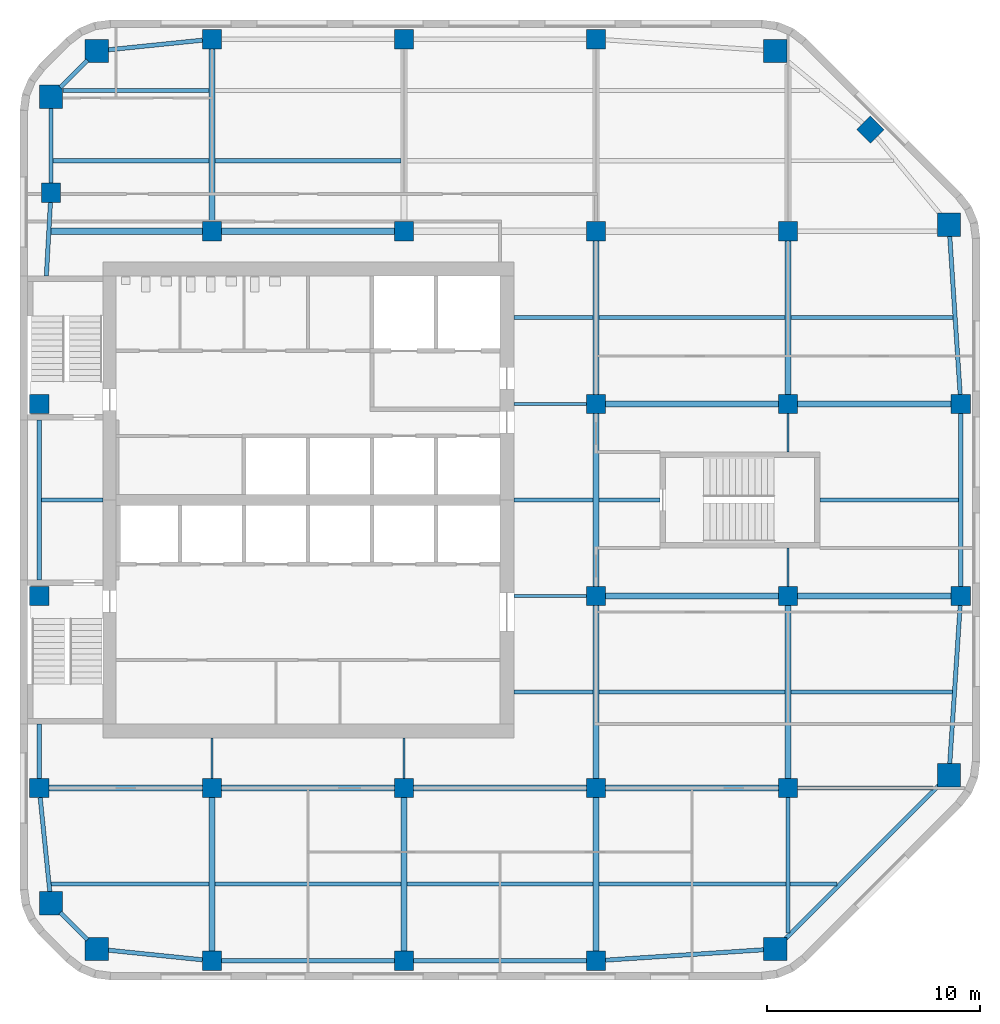
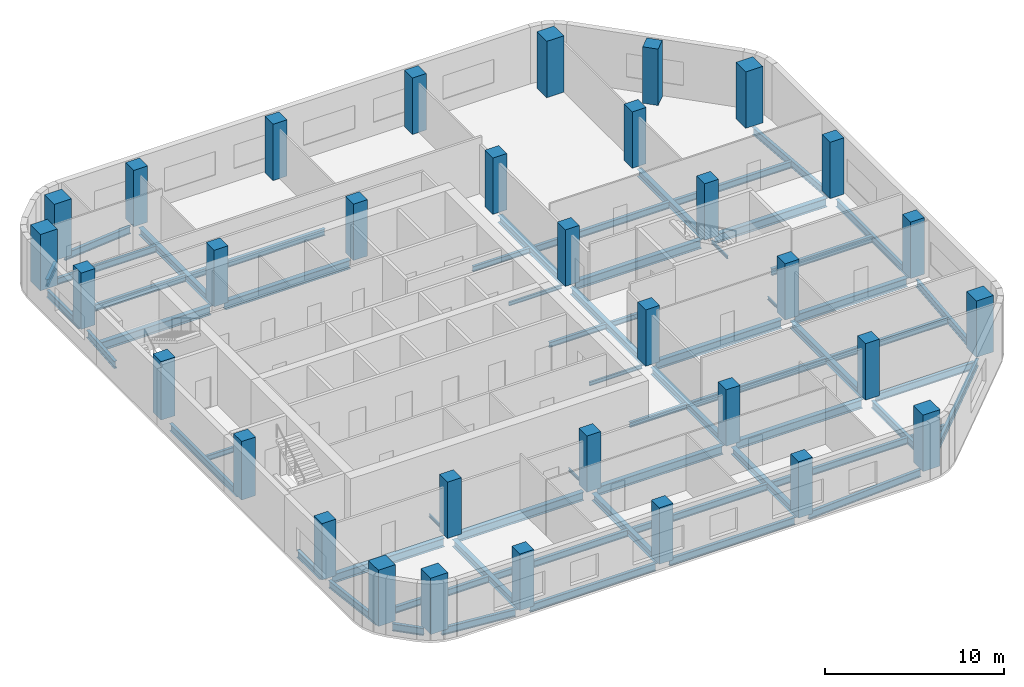
# One storey, part 1 of 8: 61 beams, 33 columns.
"""IFC4 building model written with IfcOpenShell, lengths in metres."""

from ifc_helpers import new_model, si_unit, direction, frame, origin, origin_2d, place, context, subcontext, project, spatial, rectangle, i_section, extrude, material, material_profile, profile_set, type_object, element, save


model = new_model("IFC4")

# Units and contexts
model_context = context("Model", 3, precision=1e-05, world=origin(), true_north=direction((0.0, 1.0)))
body_context = subcontext(model_context, "Body", "Model", "MODEL_VIEW")
ifc_project = project(units=[si_unit("LENGTHUNIT", "METRE"), si_unit("AREAUNIT", "SQUARE_METRE"), si_unit("VOLUMEUNIT", "CUBIC_METRE"), si_unit("PLANEANGLEUNIT", "RADIAN"), si_unit("MASSUNIT", "GRAM", prefix="KILO")], contexts=[model_context])

# Site, building, storey
site_placement = place(None, origin())
site = spatial("IfcSite", under=ifc_project, at=site_placement, CompositionType="ELEMENT")
building_placement = place(site_placement, origin())
building = spatial("IfcBuilding", under=site, at=building_placement, Name="Cinnabar Reach Civic Tower", CompositionType="ELEMENT")
storey_placement = place(building_placement, frame((0.0, 0.0, 161.0)))
storey = spatial("IfcBuildingStorey", under=building, at=storey_placement, Name="L38", CompositionType="ELEMENT", Elevation=161.0)

# Columns
ifc_material_1 = material(Name="Concrete C80", Category="concrete")
ifc_material_profile_1 = material_profile(ifc_material_1, rectangle(XDim=1.1, YDim=1.1, at=origin_2d()), Name="RC1100")
ifc_profile_set_1 = profile_set([ifc_material_profile_1], Name="Concrete C80")
column_type_1 = type_object("IfcColumnType", Name="RC1100 column R 240", PredefinedType="COLUMN", material=ifc_profile_set_1)
for number, where, z_axis, x_axis, name in (
    (1, (3.6019, 10.4531, 0.0), (0.0, 0.0, 1.0), (1.0, 0.0, 0.0), "Column T1-Z3-CC0"),
    (2, (35.3981, 10.4531, 0.0), (0.0, 0.0, 1.0), (1.0, 0.0, 0.0), "Column T1-Z3-CC1"),
    (3, (43.5469, 18.6019, 0.0), (0.0, 0.0, 1.0), (1.0, 0.0, 0.0), "Column T1-Z3-CC2"),
    (4, (43.5469, 44.3981, 0.0), (0.0, 0.0, 1.0), (1.0, 0.0, 0.0), "Column T1-Z3-CC3"),
    (5, (35.3981, 52.5469, 0.0), (0.0, 0.0, 1.0), (1.0, 0.0, 0.0), "Column T1-Z3-CC4"),
    (6, (3.6019, 52.5469, 0.0), (0.0, 0.0, 1.0), (1.0, 0.0, 0.0), "Column T1-Z3-CC5"),
    (7, (1.4531, 50.3981, 0.0), (0.0, 0.0, 1.0), (1.0, 0.0, 0.0), "Column T1-Z3-CC6"),
    (8, (1.4531, 12.6019, 0.0), (0.0, 0.0, 1.0), (1.0, 0.0, 0.0), "Column T1-Z3-CC7"),
):
    element("IfcColumn", number, at=place(storey_placement, frame(where, z_axis=z_axis, x_axis=x_axis)), inside=storey, type_object=column_type_1, Name=name, PredefinedType="COLUMN", context=body_context, shape_type="SweptSolid", body=[
        extrude(rectangle(XDim=1.1, YDim=1.1, at=origin_2d()), origin(), (0.0, 0.0, 1.0), 3.85),
    ])
ifc_material_2 = material(Name="Concrete C70", Category="concrete")
ifc_material_profile_2 = material_profile(ifc_material_2, rectangle(XDim=0.9, YDim=0.9, at=origin_2d()), Name="RC900")
ifc_profile_set_2 = profile_set([ifc_material_profile_2], Name="Concrete C70")
column_type_2 = type_object("IfcColumnType", Name="RC900 column R 240", PredefinedType="COLUMN", material=ifc_profile_set_2)
for number, where, z_axis, x_axis, name in (
    (9, (9.0, 9.9, 0.0), (0.0, 0.0, 1.0), (1.0, 0.0, 0.0), "Column T1-Z3-F0-1"),
    (10, (18.0, 9.9, 0.0), (0.0, 0.0, 1.0), (1.0, 0.0, 0.0), "Column T1-Z3-F0-2"),
    (11, (27.0, 9.9, 0.0), (0.0, 0.0, 1.0), (1.0, 0.0, 0.0), "Column T1-Z3-F0-3"),
    (12, (44.1, 27.0, 0.0), (0.0, 0.0, 1.0), (1.0, 0.0, 0.0), "Column T1-Z3-F2-3"),
    (13, (44.1, 36.0, 0.0), (0.0, 0.0, 1.0), (1.0, 0.0, 0.0), "Column T1-Z3-F2-4"),
    (14, (39.8636, 48.8636, 0.0), (0.0, 0.0, 1.0), (0.707106781187, 0.707106781187, 0.0), "Column T1-Z3-F3-M"),
    (15, (9.0, 53.1, 0.0), (0.0, 0.0, 1.0), (1.0, 0.0, 0.0), "Column T1-Z3-F4-1"),
    (16, (18.0, 53.1, 0.0), (0.0, 0.0, 1.0), (1.0, 0.0, 0.0), "Column T1-Z3-F4-2"),
    (17, (27.0, 53.1, 0.0), (0.0, 0.0, 1.0), (1.0, 0.0, 0.0), "Column T1-Z3-F4-3"),
    (18, (0.9, 18.0, 0.0), (0.0, 0.0, 1.0), (1.0, 0.0, 0.0), "Column T1-Z3-F6-2"),
):
    element("IfcColumn", number, at=place(storey_placement, frame(where, z_axis=z_axis, x_axis=x_axis)), inside=storey, type_object=column_type_2, Name=name, PredefinedType="COLUMN", context=body_context, shape_type="SweptSolid", body=[
        extrude(rectangle(XDim=0.9, YDim=0.9, at=origin_2d()), origin(), (0.0, 0.0, 1.0), 3.85),
    ])
for number, where, z_axis, x_axis, name in (
    (19, (0.9, 27.0, 0.0), (0.0, 0.0, 1.0), (1.0, 0.0, 0.0), "Column T1-Z3-F6-3"),
    (20, (0.9, 36.0, 0.0), (0.0, 0.0, 1.0), (1.0, 0.0, 0.0), "Column T1-Z3-F6-4"),
):
    element("IfcColumn", number, at=place(storey_placement, frame(where, z_axis=z_axis, x_axis=x_axis)), inside=storey, type_object=column_type_2, Name=name, PredefinedType="COLUMN", context=body_context, shape_type="SweptSolid", body=[
        extrude(rectangle(XDim=0.9, YDim=0.9, at=origin_2d()), origin(), (0.0, 0.0, 1.0), 4.0),
    ])
for number, where, z_axis, x_axis, name in (
    (21, (1.4531, 45.8981, 0.0), (0.0, 0.0, 1.0), (1.0, 0.0, 0.0), "Column T1-Z3-F6-5"),
    (22, (9.0, 18.0, 0.0), (0.0, 0.0, 1.0), (1.0, 0.0, 0.0), "Column T1-Z3-I9_18"),
    (23, (9.0, 44.1, 0.0), (0.0, 0.0, 1.0), (1.0, 0.0, 0.0), "Column T1-Z3-I9_45"),
    (24, (18.0, 18.0, 0.0), (0.0, 0.0, 1.0), (1.0, 0.0, 0.0), "Column T1-Z3-I18_18"),
    (25, (18.0, 44.1, 0.0), (0.0, 0.0, 1.0), (1.0, 0.0, 0.0), "Column T1-Z3-I18_45"),
    (26, (27.0, 18.0, 0.0), (0.0, 0.0, 1.0), (1.0, 0.0, 0.0), "Column T1-Z3-I27_18"),
    (27, (27.0, 27.0, 0.0), (0.0, 0.0, 1.0), (1.0, 0.0, 0.0), "Column T1-Z3-I27_27"),
    (28, (27.0, 36.0, 0.0), (0.0, 0.0, 1.0), (1.0, 0.0, 0.0), "Column T1-Z3-I27_36"),
    (29, (27.0, 44.1, 0.0), (0.0, 0.0, 1.0), (1.0, 0.0, 0.0), "Column T1-Z3-I27_45"),
    (30, (36.0, 18.0, 0.0), (0.0, 0.0, 1.0), (1.0, 0.0, 0.0), "Column T1-Z3-I36_18"),
    (31, (36.0, 27.0, 0.0), (0.0, 0.0, 1.0), (1.0, 0.0, 0.0), "Column T1-Z3-I36_27"),
    (32, (36.0, 36.0, 0.0), (0.0, 0.0, 1.0), (1.0, 0.0, 0.0), "Column T1-Z3-I36_36"),
    (33, (36.0, 44.1, 0.0), (0.0, 0.0, 1.0), (1.0, 0.0, 0.0), "Column T1-Z3-I36_45"),
):
    element("IfcColumn", number, at=place(storey_placement, frame(where, z_axis=z_axis, x_axis=x_axis)), inside=storey, type_object=column_type_2, Name=name, PredefinedType="COLUMN", context=body_context, shape_type="SweptSolid", body=[
        extrude(rectangle(XDim=0.9, YDim=0.9, at=origin_2d()), origin(), (0.0, 0.0, 1.0), 3.85),
    ])

# Beams
ifc_material_3 = material(Name="Steel Q355B", Category="steel")
ifc_material_profile_3 = material_profile(ifc_material_3, i_section(OverallWidth=0.3, OverallDepth=0.488, WebThickness=0.011, FlangeThickness=0.018, FilletRadius=0.016, at=origin_2d()), Name="HM488x300x11x18")
ifc_profile_set_3 = profile_set([ifc_material_profile_3], Name="Steel Q355B")
beam_type_1 = type_object("IfcBeamType", Name="HM488x300x11x18 beam R 180", PredefinedType="BEAM", material=ifc_profile_set_3)
beam_1_placement = place(storey_placement, frame((9.0, 10.352, -0.394), z_axis=(0.0, 1.0, 0.0), x_axis=(-1.0, 0.0, 0.0)))
element("IfcBeam", 34, at=beam_1_placement, inside=storey, type_object=beam_type_1, Name="Girder T1 L38 1", PredefinedType="BEAM", context=body_context, shape_type="SweptSolid", body=[
    extrude(i_section(OverallWidth=0.3, OverallDepth=0.488, WebThickness=0.011, FlangeThickness=0.018, FilletRadius=0.016, at=origin_2d()), origin(), (0.0, 0.0, 1.0), 7.196),
])
beam_2_placement = place(storey_placement, frame((9.0, 44.552, -0.394), z_axis=(0.0, 1.0, 0.0), x_axis=(-1.0, 0.0, 0.0)))
element("IfcBeam", 35, at=beam_2_placement, inside=storey, type_object=beam_type_1, Name="Girder T1 L38 3", PredefinedType="BEAM", context=body_context, shape_type="SweptSolid", body=[
    extrude(i_section(OverallWidth=0.3, OverallDepth=0.488, WebThickness=0.011, FlangeThickness=0.018, FilletRadius=0.016, at=origin_2d()), origin(), (0.0, 0.0, 1.0), 8.096),
])
for number, where, z_axis, x_axis, name in (
    (36, (18.0, 10.352, -0.394), (0.0, 1.0, 0.0), (-1.0, 0.0, 0.0), "Girder T1 L38 4"),
    (37, (27.0, 10.352, -0.394), (0.0, 1.0, 0.0), (-1.0, 0.0, 0.0), "Girder T1 L38 7"),
):
    element("IfcBeam", number, at=place(storey_placement, frame(where, z_axis=z_axis, x_axis=x_axis)), inside=storey, type_object=beam_type_1, Name=name, PredefinedType="BEAM", context=body_context, shape_type="SweptSolid", body=[
        extrude(i_section(OverallWidth=0.3, OverallDepth=0.488, WebThickness=0.011, FlangeThickness=0.018, FilletRadius=0.016, at=origin_2d()), origin(), (0.0, 0.0, 1.0), 7.196),
    ])
for number, where, z_axis, x_axis, name in (
    (38, (27.0, 18.452, -0.394), (0.0, 1.0, 0.0), (-1.0, 0.0, 0.0), "Girder T1 L38 8"),
    (39, (27.0, 27.452, -0.394), (0.0, 1.0, 0.0), (-1.0, 0.0, 0.0), "Girder T1 L38 9"),
):
    element("IfcBeam", number, at=place(storey_placement, frame(where, z_axis=z_axis, x_axis=x_axis)), inside=storey, type_object=beam_type_1, Name=name, PredefinedType="BEAM", context=body_context, shape_type="SweptSolid", body=[
        extrude(i_section(OverallWidth=0.3, OverallDepth=0.488, WebThickness=0.011, FlangeThickness=0.018, FilletRadius=0.016, at=origin_2d()), origin(), (0.0, 0.0, 1.0), 8.096),
    ])
beam_3_placement = place(storey_placement, frame((27.0, 36.452, -0.394), z_axis=(0.0, 1.0, 0.0), x_axis=(-1.0, 0.0, 0.0)))
element("IfcBeam", 40, at=beam_3_placement, inside=storey, type_object=beam_type_1, Name="Girder T1 L38 10", PredefinedType="BEAM", context=body_context, shape_type="SweptSolid", body=[
    extrude(i_section(OverallWidth=0.3, OverallDepth=0.488, WebThickness=0.011, FlangeThickness=0.018, FilletRadius=0.016, at=origin_2d()), origin(), (0.0, 0.0, 1.0), 7.196),
])
beam_4_placement = place(storey_placement, frame((36.0, 18.452, -0.394), z_axis=(0.0, 1.0, 0.0), x_axis=(-1.0, 0.0, 0.0)))
element("IfcBeam", 41, at=beam_4_placement, inside=storey, type_object=beam_type_1, Name="Girder T1 L38 13", PredefinedType="BEAM", context=body_context, shape_type="SweptSolid", body=[
    extrude(i_section(OverallWidth=0.3, OverallDepth=0.488, WebThickness=0.011, FlangeThickness=0.018, FilletRadius=0.016, at=origin_2d()), origin(), (0.0, 0.0, 1.0), 8.096),
])
beam_5_placement = place(storey_placement, frame((36.0, 36.452, -0.394), z_axis=(0.0, 1.0, 0.0), x_axis=(-1.0, 0.0, 0.0)))
element("IfcBeam", 42, at=beam_5_placement, inside=storey, type_object=beam_type_1, Name="Girder T1 L38 16", PredefinedType="BEAM", context=body_context, shape_type="SweptSolid", body=[
    extrude(i_section(OverallWidth=0.3, OverallDepth=0.488, WebThickness=0.011, FlangeThickness=0.018, FilletRadius=0.016, at=origin_2d()), origin(), (0.0, 0.0, 1.0), 7.196),
])
ifc_material_profile_4 = material_profile(ifc_material_3, i_section(OverallWidth=0.3, OverallDepth=0.588, WebThickness=0.012, FlangeThickness=0.02, FilletRadius=0.016, at=origin_2d()), Name="HM588x300x12x20")
ifc_profile_set_4 = profile_set([ifc_material_profile_4], Name="Steel Q355B")
beam_type_2 = type_object("IfcBeamType", Name="HM588x300x12x20 beam R 180", PredefinedType="BEAM", material=ifc_profile_set_4)
beam_6_placement = place(storey_placement, frame((1.352, 18.0, -0.444), z_axis=(1.0, 0.0, 0.0), x_axis=(0.0, 1.0, 0.0)))
element("IfcBeam", 43, at=beam_6_placement, inside=storey, type_object=beam_type_2, Name="Girder T1 L38 1", PredefinedType="BEAM", context=body_context, shape_type="SweptSolid", body=[
    extrude(i_section(OverallWidth=0.3, OverallDepth=0.588, WebThickness=0.012, FlangeThickness=0.02, FilletRadius=0.016, at=origin_2d()), origin(), (0.0, 0.0, 1.0), 7.196),
])
for number, where, z_axis, x_axis, name in (
    (44, (9.452, 18.0, -0.444), (1.0, 0.0, 0.0), (0.0, 1.0, 0.0), "Girder T1 L38 2"),
    (45, (18.452, 18.0, -0.444), (1.0, 0.0, 0.0), (0.0, 1.0, 0.0), "Girder T1 L38 3"),
    (46, (27.452, 18.0, -0.444), (1.0, 0.0, 0.0), (0.0, 1.0, 0.0), "Girder T1 L38 4"),
    (47, (27.452, 27.0, -0.444), (1.0, 0.0, 0.0), (0.0, 1.0, 0.0), "Girder T1 L38 7"),
):
    element("IfcBeam", number, at=place(storey_placement, frame(where, z_axis=z_axis, x_axis=x_axis)), inside=storey, type_object=beam_type_2, Name=name, PredefinedType="BEAM", context=body_context, shape_type="SweptSolid", body=[
        extrude(i_section(OverallWidth=0.3, OverallDepth=0.588, WebThickness=0.012, FlangeThickness=0.02, FilletRadius=0.016, at=origin_2d()), origin(), (0.0, 0.0, 1.0), 8.096),
    ])
beam_7_placement = place(storey_placement, frame((36.452, 27.0, -0.444), z_axis=(1.0, 0.0, 0.0), x_axis=(0.0, 1.0, 0.0)))
element("IfcBeam", 48, at=beam_7_placement, inside=storey, type_object=beam_type_2, Name="Girder T1 L38 8", PredefinedType="BEAM", context=body_context, shape_type="SweptSolid", body=[
    extrude(i_section(OverallWidth=0.3, OverallDepth=0.588, WebThickness=0.012, FlangeThickness=0.02, FilletRadius=0.016, at=origin_2d()), origin(), (0.0, 0.0, 1.0), 7.196),
])
beam_8_placement = place(storey_placement, frame((27.452, 36.0, -0.444), z_axis=(1.0, 0.0, 0.0), x_axis=(0.0, 1.0, 0.0)))
element("IfcBeam", 49, at=beam_8_placement, inside=storey, type_object=beam_type_2, Name="Girder T1 L38 10", PredefinedType="BEAM", context=body_context, shape_type="SweptSolid", body=[
    extrude(i_section(OverallWidth=0.3, OverallDepth=0.588, WebThickness=0.012, FlangeThickness=0.02, FilletRadius=0.016, at=origin_2d()), origin(), (0.0, 0.0, 1.0), 8.096),
])
beam_9_placement = place(storey_placement, frame((36.452, 36.0, -0.444), z_axis=(1.0, 0.0, 0.0), x_axis=(0.0, 1.0, 0.0)))
element("IfcBeam", 50, at=beam_9_placement, inside=storey, type_object=beam_type_2, Name="Girder T1 L38 11", PredefinedType="BEAM", context=body_context, shape_type="SweptSolid", body=[
    extrude(i_section(OverallWidth=0.3, OverallDepth=0.588, WebThickness=0.012, FlangeThickness=0.02, FilletRadius=0.016, at=origin_2d()), origin(), (0.0, 0.0, 1.0), 7.196),
])
beam_10_placement = place(storey_placement, frame((1.4548, 44.1, -0.444), z_axis=(1.0, 0.0, 0.0), x_axis=(0.0, 1.0, 0.0)))
element("IfcBeam", 51, at=beam_10_placement, inside=storey, type_object=beam_type_2, Name="Girder T1 L38 12", PredefinedType="BEAM", context=body_context, shape_type="SweptSolid", body=[
    extrude(i_section(OverallWidth=0.3, OverallDepth=0.588, WebThickness=0.012, FlangeThickness=0.02, FilletRadius=0.016, at=origin_2d()), origin(), (0.0, 0.0, 1.0), 7.0932),
])
beam_11_placement = place(storey_placement, frame((9.452, 44.1, -0.444), z_axis=(1.0, 0.0, 0.0), x_axis=(0.0, 1.0, 0.0)))
element("IfcBeam", 52, at=beam_11_placement, inside=storey, type_object=beam_type_2, Name="Girder T1 L38 13", PredefinedType="BEAM", context=body_context, shape_type="SweptSolid", body=[
    extrude(i_section(OverallWidth=0.3, OverallDepth=0.588, WebThickness=0.012, FlangeThickness=0.02, FilletRadius=0.016, at=origin_2d()), origin(), (0.0, 0.0, 1.0), 8.096),
])
ifc_material_profile_5 = material_profile(ifc_material_3, i_section(OverallWidth=0.099, OverallDepth=0.198, WebThickness=0.0045, FlangeThickness=0.007, FilletRadius=0.013, at=origin_2d()), Name="HN200x100x5.5x8")
ifc_profile_set_5 = profile_set([ifc_material_profile_5], Name="Steel Q355B")
beam_type_3 = type_object("IfcBeamType", Name="HN200x100x5.5x8 beam R 180", PredefinedType="BEAM", material=ifc_profile_set_5)
for number, where, z_axis, x_axis, name in (
    (53, (9.0, 18.452, -0.249), (0.0, 1.0, 0.0), (-1.0, 0.0, 0.0), "Girder T1 L38 2"),
    (54, (18.0, 18.452, -0.249), (0.0, 1.0, 0.0), (-1.0, 0.0, 0.0), "Girder T1 L38 5"),
):
    element("IfcBeam", number, at=place(storey_placement, frame(where, z_axis=z_axis, x_axis=x_axis)), inside=storey, type_object=beam_type_3, Name=name, PredefinedType="BEAM", context=body_context, shape_type="SweptSolid", body=[
        extrude(i_section(OverallWidth=0.099, OverallDepth=0.198, WebThickness=0.0045, FlangeThickness=0.007, FilletRadius=0.013, at=origin_2d()), origin(), (0.0, 0.0, 1.0), 1.896),
    ])
for number, where, z_axis, x_axis, name in (
    (55, (36.0, 27.452, -0.249), (0.0, 1.0, 0.0), (-1.0, 0.0, 0.0), "Girder T1 L38 14"),
    (56, (36.0, 33.752, -0.249), (0.0, 1.0, 0.0), (-1.0, 0.0, 0.0), "Girder T1 L38 15"),
):
    element("IfcBeam", number, at=place(storey_placement, frame(where, z_axis=z_axis, x_axis=x_axis)), inside=storey, type_object=beam_type_3, Name=name, PredefinedType="BEAM", context=body_context, shape_type="SweptSolid", body=[
        extrude(i_section(OverallWidth=0.099, OverallDepth=0.198, WebThickness=0.0045, FlangeThickness=0.007, FilletRadius=0.013, at=origin_2d()), origin(), (0.0, 0.0, 1.0), 1.796),
    ])
ifc_material_profile_6 = material_profile(ifc_material_3, i_section(OverallWidth=0.124, OverallDepth=0.248, WebThickness=0.005, FlangeThickness=0.008, FilletRadius=0.013, at=origin_2d()), Name="HN250x125x6x9")
ifc_profile_set_6 = profile_set([ifc_material_profile_6], Name="Steel Q355B")
beam_type_4 = type_object("IfcBeamType", Name="HN250x125x6x9 beam R 180", PredefinedType="BEAM", material=ifc_profile_set_6)
for number, where, z_axis, x_axis, name in (
    (57, (23.152, 27.0, -0.274), (1.0, 0.0, 0.0), (0.0, 1.0, 0.0), "Girder T1 L38 6"),
    (58, (23.152, 36.0, -0.274), (1.0, 0.0, 0.0), (0.0, 1.0, 0.0), "Girder T1 L38 9"),
):
    element("IfcBeam", number, at=place(storey_placement, frame(where, z_axis=z_axis, x_axis=x_axis)), inside=storey, type_object=beam_type_4, Name=name, PredefinedType="BEAM", context=body_context, shape_type="SweptSolid", body=[
        extrude(i_section(OverallWidth=0.124, OverallDepth=0.248, WebThickness=0.005, FlangeThickness=0.008, FilletRadius=0.013, at=origin_2d()), origin(), (0.0, 0.0, 1.0), 3.396),
    ])
ifc_material_profile_7 = material_profile(ifc_material_3, i_section(OverallWidth=0.175, OverallDepth=0.35, WebThickness=0.007, FlangeThickness=0.011, FilletRadius=0.013, at=origin_2d()), Name="HN350x175x7x11")
ifc_profile_set_7 = profile_set([ifc_material_profile_7], Name="Steel Q355B")
beam_type_5 = type_object("IfcBeamType", Name="HN350x175x7x11 beam R 180", PredefinedType="BEAM", material=ifc_profile_set_7)
beam_12_placement = place(storey_placement, frame((36.102, 13.5, -0.325), z_axis=(1.0, 0.0, 0.0), x_axis=(0.0, 1.0, 0.0)))
element("IfcBeam", 59, at=beam_12_placement, inside=storey, type_object=beam_type_5, Name="Secondary beam T1 L38 5", PredefinedType="BEAM", context=body_context, shape_type="SweptSolid", body=[
    extrude(i_section(OverallWidth=0.175, OverallDepth=0.35, WebThickness=0.007, FlangeThickness=0.011, FilletRadius=0.013, at=origin_2d()), origin(), (0.0, 0.0, 1.0), 2.1988),
])
beam_13_placement = place(storey_placement, frame((23.152, 22.5, -0.325), z_axis=(1.0, 0.0, 0.0), x_axis=(0.0, 1.0, 0.0)))
element("IfcBeam", 60, at=beam_13_placement, inside=storey, type_object=beam_type_5, Name="Secondary beam T1 L38 6", PredefinedType="BEAM", context=body_context, shape_type="SweptSolid", body=[
    extrude(i_section(OverallWidth=0.175, OverallDepth=0.35, WebThickness=0.007, FlangeThickness=0.011, FilletRadius=0.013, at=origin_2d()), origin(), (0.0, 0.0, 1.0), 3.696),
])
beam_14_placement = place(storey_placement, frame((1.002, 31.5, -0.325), z_axis=(1.0, 0.0, 0.0), x_axis=(0.0, 1.0, 0.0)))
element("IfcBeam", 61, at=beam_14_placement, inside=storey, type_object=beam_type_5, Name="Secondary beam T1 L38 9", PredefinedType="BEAM", context=body_context, shape_type="SweptSolid", body=[
    extrude(i_section(OverallWidth=0.175, OverallDepth=0.35, WebThickness=0.007, FlangeThickness=0.011, FilletRadius=0.013, at=origin_2d()), origin(), (0.0, 0.0, 1.0), 2.896),
])
beam_15_placement = place(storey_placement, frame((23.152, 31.5, -0.325), z_axis=(1.0, 0.0, 0.0), x_axis=(0.0, 1.0, 0.0)))
element("IfcBeam", 62, at=beam_15_placement, inside=storey, type_object=beam_type_5, Name="Secondary beam T1 L38 10", PredefinedType="BEAM", context=body_context, shape_type="SweptSolid", body=[
    extrude(i_section(OverallWidth=0.175, OverallDepth=0.35, WebThickness=0.007, FlangeThickness=0.011, FilletRadius=0.013, at=origin_2d()), origin(), (0.0, 0.0, 1.0), 3.696),
])
beam_16_placement = place(storey_placement, frame((27.152, 31.5, -0.325), z_axis=(1.0, 0.0, 0.0), x_axis=(0.0, 1.0, 0.0)))
element("IfcBeam", 63, at=beam_16_placement, inside=storey, type_object=beam_type_5, Name="Secondary beam T1 L38 11", PredefinedType="BEAM", context=body_context, shape_type="SweptSolid", body=[
    extrude(i_section(OverallWidth=0.175, OverallDepth=0.35, WebThickness=0.007, FlangeThickness=0.011, FilletRadius=0.013, at=origin_2d()), origin(), (0.0, 0.0, 1.0), 2.846),
])
beam_17_placement = place(storey_placement, frame((23.152, 40.05, -0.325), z_axis=(1.0, 0.0, 0.0), x_axis=(0.0, 1.0, 0.0)))
element("IfcBeam", 64, at=beam_17_placement, inside=storey, type_object=beam_type_5, Name="Secondary beam T1 L38 13", PredefinedType="BEAM", context=body_context, shape_type="SweptSolid", body=[
    extrude(i_section(OverallWidth=0.175, OverallDepth=0.35, WebThickness=0.007, FlangeThickness=0.011, FilletRadius=0.013, at=origin_2d()), origin(), (0.0, 0.0, 1.0), 3.696),
])
ifc_material_profile_8 = material_profile(ifc_material_3, i_section(OverallWidth=0.2, OverallDepth=0.45, WebThickness=0.009, FlangeThickness=0.014, FilletRadius=0.016, at=origin_2d()), Name="HN450x200x9x14")
ifc_profile_set_8 = profile_set([ifc_material_profile_8], Name="Steel Q355B")
beam_type_6 = type_object("IfcBeamType", Name="HN450x200x9x14 beam R 180", PredefinedType="BEAM", material=ifc_profile_set_8)
beam_18_placement = place(storey_placement, frame((1.4636, 13.5, -0.375), z_axis=(1.0, 0.0, 0.0), x_axis=(0.0, 1.0, 0.0)))
element("IfcBeam", 65, at=beam_18_placement, inside=storey, type_object=beam_type_6, Name="Secondary beam T1 L38 1", PredefinedType="BEAM", context=body_context, shape_type="SweptSolid", body=[
    extrude(i_section(OverallWidth=0.2, OverallDepth=0.45, WebThickness=0.009, FlangeThickness=0.014, FilletRadius=0.016, at=origin_2d()), origin(), (0.0, 0.0, 1.0), 7.3844),
])
for number, where, z_axis, x_axis, name in (
    (66, (9.152, 13.5, -0.375), (1.0, 0.0, 0.0), (0.0, 1.0, 0.0), "Secondary beam T1 L38 2"),
    (67, (18.152, 13.5, -0.375), (1.0, 0.0, 0.0), (0.0, 1.0, 0.0), "Secondary beam T1 L38 3"),
):
    element("IfcBeam", number, at=place(storey_placement, frame(where, z_axis=z_axis, x_axis=x_axis)), inside=storey, type_object=beam_type_6, Name=name, PredefinedType="BEAM", context=body_context, shape_type="SweptSolid", body=[
        extrude(i_section(OverallWidth=0.2, OverallDepth=0.45, WebThickness=0.009, FlangeThickness=0.014, FilletRadius=0.016, at=origin_2d()), origin(), (0.0, 0.0, 1.0), 8.696),
    ])
beam_19_placement = place(storey_placement, frame((27.152, 13.5, -0.375), z_axis=(1.0, 0.0, 0.0), x_axis=(0.0, 1.0, 0.0)))
element("IfcBeam", 68, at=beam_19_placement, inside=storey, type_object=beam_type_6, Name="Secondary beam T1 L38 4", PredefinedType="BEAM", context=body_context, shape_type="SweptSolid", body=[
    extrude(i_section(OverallWidth=0.2, OverallDepth=0.45, WebThickness=0.009, FlangeThickness=0.014, FilletRadius=0.016, at=origin_2d()), origin(), (0.0, 0.0, 1.0), 8.746),
])
beam_20_placement = place(storey_placement, frame((27.152, 22.5, -0.375), z_axis=(1.0, 0.0, 0.0), x_axis=(0.0, 1.0, 0.0)))
element("IfcBeam", 69, at=beam_20_placement, inside=storey, type_object=beam_type_6, Name="Secondary beam T1 L38 7", PredefinedType="BEAM", context=body_context, shape_type="SweptSolid", body=[
    extrude(i_section(OverallWidth=0.2, OverallDepth=0.45, WebThickness=0.009, FlangeThickness=0.014, FilletRadius=0.016, at=origin_2d()), origin(), (0.0, 0.0, 1.0), 8.696),
])
beam_21_placement = place(storey_placement, frame((36.152, 22.5, -0.375), z_axis=(1.0, 0.0, 0.0), x_axis=(0.0, 1.0, 0.0)))
element("IfcBeam", 70, at=beam_21_placement, inside=storey, type_object=beam_type_6, Name="Secondary beam T1 L38 8", PredefinedType="BEAM", context=body_context, shape_type="SweptSolid", body=[
    extrude(i_section(OverallWidth=0.2, OverallDepth=0.45, WebThickness=0.009, FlangeThickness=0.014, FilletRadius=0.016, at=origin_2d()), origin(), (0.0, 0.0, 1.0), 7.5494),
])
beam_22_placement = place(storey_placement, frame((37.502, 31.5, -0.375), z_axis=(1.0, 0.0, 0.0), x_axis=(0.0, 1.0, 0.0)))
element("IfcBeam", 71, at=beam_22_placement, inside=storey, type_object=beam_type_6, Name="Secondary beam T1 L38 12", PredefinedType="BEAM", context=body_context, shape_type="SweptSolid", body=[
    extrude(i_section(OverallWidth=0.2, OverallDepth=0.45, WebThickness=0.009, FlangeThickness=0.014, FilletRadius=0.016, at=origin_2d()), origin(), (0.0, 0.0, 1.0), 6.496),
])
beam_23_placement = place(storey_placement, frame((27.152, 40.05, -0.375), z_axis=(1.0, 0.0, 0.0), x_axis=(0.0, 1.0, 0.0)))
element("IfcBeam", 72, at=beam_23_placement, inside=storey, type_object=beam_type_6, Name="Secondary beam T1 L38 14", PredefinedType="BEAM", context=body_context, shape_type="SweptSolid", body=[
    extrude(i_section(OverallWidth=0.2, OverallDepth=0.45, WebThickness=0.009, FlangeThickness=0.014, FilletRadius=0.016, at=origin_2d()), origin(), (0.0, 0.0, 1.0), 8.696),
])
beam_24_placement = place(storey_placement, frame((36.152, 40.05, -0.375), z_axis=(1.0, 0.0, 0.0), x_axis=(0.0, 1.0, 0.0)))
element("IfcBeam", 73, at=beam_24_placement, inside=storey, type_object=beam_type_6, Name="Secondary beam T1 L38 15", PredefinedType="BEAM", context=body_context, shape_type="SweptSolid", body=[
    extrude(i_section(OverallWidth=0.2, OverallDepth=0.45, WebThickness=0.009, FlangeThickness=0.014, FilletRadius=0.016, at=origin_2d()), origin(), (0.0, 0.0, 1.0), 7.579),
])
beam_25_placement = place(storey_placement, frame((1.5551, 47.4, -0.375), z_axis=(1.0, 0.0, 0.0), x_axis=(0.0, 1.0, 0.0)))
element("IfcBeam", 74, at=beam_25_placement, inside=storey, type_object=beam_type_6, Name="Secondary beam T1 L38 16", PredefinedType="BEAM", context=body_context, shape_type="SweptSolid", body=[
    extrude(i_section(OverallWidth=0.2, OverallDepth=0.45, WebThickness=0.009, FlangeThickness=0.014, FilletRadius=0.016, at=origin_2d()), origin(), (0.0, 0.0, 1.0), 7.2929),
])
beam_26_placement = place(storey_placement, frame((9.152, 47.4, -0.375), z_axis=(1.0, 0.0, 0.0), x_axis=(0.0, 1.0, 0.0)))
element("IfcBeam", 75, at=beam_26_placement, inside=storey, type_object=beam_type_6, Name="Secondary beam T1 L38 17", PredefinedType="BEAM", context=body_context, shape_type="SweptSolid", body=[
    extrude(i_section(OverallWidth=0.2, OverallDepth=0.45, WebThickness=0.009, FlangeThickness=0.014, FilletRadius=0.016, at=origin_2d()), origin(), (0.0, 0.0, 1.0), 8.696),
])
beam_27_placement = place(storey_placement, frame((2.0051, 50.7, -0.375), z_axis=(1.0, 0.0, 0.0), x_axis=(0.0, 1.0, 0.0)))
element("IfcBeam", 76, at=beam_27_placement, inside=storey, type_object=beam_type_6, Name="Secondary beam T1 L38 21", PredefinedType="BEAM", context=body_context, shape_type="SweptSolid", body=[
    extrude(i_section(OverallWidth=0.2, OverallDepth=0.45, WebThickness=0.009, FlangeThickness=0.014, FilletRadius=0.016, at=origin_2d()), origin(), (0.0, 0.0, 1.0), 6.8429),
])
ifc_material_profile_9 = material_profile(ifc_material_3, i_section(OverallWidth=0.2, OverallDepth=0.5, WebThickness=0.01, FlangeThickness=0.016, FilletRadius=0.016, at=origin_2d()), Name="HN500x200x10x16")
ifc_profile_set_9 = profile_set([ifc_material_profile_9], Name="Steel Q355B")
beam_type_7 = type_object("IfcBeamType", Name="HN500x200x10x16 beam R 180", PredefinedType="BEAM", material=ifc_profile_set_9)
beam_28_placement = place(storey_placement, frame((4.0339, 10.4088, -0.4), z_axis=(0.994792272495, -0.101923179821, 0.0), x_axis=(0.101923179821, 0.994792272495, 0.0)))
element("IfcBeam", 77, at=beam_28_placement, inside=storey, type_object=beam_type_7, Name="Edge beam T1 L38 1", PredefinedType="BEAM", context=body_context, shape_type="SweptSolid", body=[
    extrude(i_section(OverallWidth=0.2, OverallDepth=0.5, WebThickness=0.01, FlangeThickness=0.016, FilletRadius=0.016, at=origin_2d()), origin(), (0.0, 0.0, 1.0), 4.5377),
])
for number, where, z_axis, x_axis, name in (
    (78, (9.452, 9.9, -0.4), (1.0, 0.0, 0.0), (0.0, 1.0, 0.0), "Edge beam T1 L38 2"),
    (79, (18.452, 9.9, -0.4), (1.0, 0.0, 0.0), (0.0, 1.0, 0.0), "Edge beam T1 L38 3"),
):
    element("IfcBeam", number, at=place(storey_placement, frame(where, z_axis=z_axis, x_axis=x_axis)), inside=storey, type_object=beam_type_7, Name=name, PredefinedType="BEAM", context=body_context, shape_type="SweptSolid", body=[
        extrude(i_section(OverallWidth=0.2, OverallDepth=0.5, WebThickness=0.01, FlangeThickness=0.016, FilletRadius=0.016, at=origin_2d()), origin(), (0.0, 0.0, 1.0), 8.096),
    ])
beam_29_placement = place(storey_placement, frame((27.452, 9.9298, -0.4), z_axis=(0.99783894477, 0.065707231721, 0.0), x_axis=(-0.065707231721, 0.99783894477, 0.0)))
element("IfcBeam", 80, at=beam_29_placement, inside=storey, type_object=beam_type_7, Name="Edge beam T1 L38 4", PredefinedType="BEAM", context=body_context, shape_type="SweptSolid", body=[
    extrude(i_section(OverallWidth=0.2, OverallDepth=0.5, WebThickness=0.01, FlangeThickness=0.016, FilletRadius=0.016, at=origin_2d()), origin(), (0.0, 0.0, 1.0), 7.5304),
])
beam_30_placement = place(storey_placement, frame((35.8301, 10.8851, -0.4), z_axis=(0.707106781187, 0.707106781187, 0.0), x_axis=(-0.707106781187, 0.707106781187, 0.0)))
element("IfcBeam", 81, at=beam_30_placement, inside=storey, type_object=beam_type_7, Name="Edge beam T1 L38 5", PredefinedType="BEAM", context=body_context, shape_type="SweptSolid", body=[
    extrude(i_section(OverallWidth=0.2, OverallDepth=0.5, WebThickness=0.01, FlangeThickness=0.016, FilletRadius=0.016, at=origin_2d()), origin(), (0.0, 0.0, 1.0), 10.3023),
])
beam_31_placement = place(storey_placement, frame((43.5754, 19.0339, -0.4), z_axis=(0.065707231721, 0.99783894477, 0.0), x_axis=(-0.99783894477, 0.065707231721, 0.0)))
element("IfcBeam", 82, at=beam_31_placement, inside=storey, type_object=beam_type_7, Name="Edge beam T1 L38 6", PredefinedType="BEAM", context=body_context, shape_type="SweptSolid", body=[
    extrude(i_section(OverallWidth=0.2, OverallDepth=0.5, WebThickness=0.01, FlangeThickness=0.016, FilletRadius=0.016, at=origin_2d()), origin(), (0.0, 0.0, 1.0), 7.5304),
])
beam_32_placement = place(storey_placement, frame((44.1, 27.452, -0.4), z_axis=(0.0, 1.0, 0.0), x_axis=(-1.0, 0.0, 0.0)))
element("IfcBeam", 83, at=beam_32_placement, inside=storey, type_object=beam_type_7, Name="Edge beam T1 L38 7", PredefinedType="BEAM", context=body_context, shape_type="SweptSolid", body=[
    extrude(i_section(OverallWidth=0.2, OverallDepth=0.5, WebThickness=0.01, FlangeThickness=0.016, FilletRadius=0.016, at=origin_2d()), origin(), (0.0, 0.0, 1.0), 8.096),
])
beam_33_placement = place(storey_placement, frame((44.0702, 36.452, -0.4), z_axis=(-0.065707231721, 0.99783894477, 0.0), x_axis=(-0.99783894477, -0.065707231721, 0.0)))
element("IfcBeam", 84, at=beam_33_placement, inside=storey, type_object=beam_type_7, Name="Edge beam T1 L38 8", PredefinedType="BEAM", context=body_context, shape_type="SweptSolid", body=[
    extrude(i_section(OverallWidth=0.2, OverallDepth=0.5, WebThickness=0.01, FlangeThickness=0.016, FilletRadius=0.016, at=origin_2d()), origin(), (0.0, 0.0, 1.0), 7.5304),
])
beam_34_placement = place(storey_placement, frame((8.548, 53.0537, -0.4), z_axis=(-0.994792272495, -0.101923179821, 0.0), x_axis=(0.101923179821, -0.994792272495, 0.0)))
element("IfcBeam", 85, at=beam_34_placement, inside=storey, type_object=beam_type_7, Name="Edge beam T1 L38 14", PredefinedType="BEAM", context=body_context, shape_type="SweptSolid", body=[
    extrude(i_section(OverallWidth=0.2, OverallDepth=0.5, WebThickness=0.01, FlangeThickness=0.016, FilletRadius=0.016, at=origin_2d()), origin(), (0.0, 0.0, 1.0), 4.5377),
])
beam_35_placement = place(storey_placement, frame((3.1699, 52.1149, -0.4), z_axis=(-0.707106781187, -0.707106781187, 0.0), x_axis=(0.707106781187, -0.707106781187, 0.0)))
element("IfcBeam", 86, at=beam_35_placement, inside=storey, type_object=beam_type_7, Name="Edge beam T1 L38 15", PredefinedType="BEAM", context=body_context, shape_type="SweptSolid", body=[
    extrude(i_section(OverallWidth=0.2, OverallDepth=0.5, WebThickness=0.01, FlangeThickness=0.016, FilletRadius=0.016, at=origin_2d()), origin(), (0.0, 0.0, 1.0), 1.817),
])
beam_36_placement = place(storey_placement, frame((1.4531, 49.9661, -0.4), z_axis=(0.0, -1.0, 0.0), x_axis=(1.0, 0.0, 0.0)))
element("IfcBeam", 87, at=beam_36_placement, inside=storey, type_object=beam_type_7, Name="Edge beam T1 L38 16", PredefinedType="BEAM", context=body_context, shape_type="SweptSolid", body=[
    extrude(i_section(OverallWidth=0.2, OverallDepth=0.5, WebThickness=0.01, FlangeThickness=0.016, FilletRadius=0.016, at=origin_2d()), origin(), (0.0, 0.0, 1.0), 3.616),
])
beam_37_placement = place(storey_placement, frame((1.4278, 45.4461, -0.4), z_axis=(-0.0557766862, -0.998443268932, 0.0), x_axis=(0.998443268932, -0.0557766862, 0.0)))
element("IfcBeam", 88, at=beam_37_placement, inside=storey, type_object=beam_type_7, Name="Edge beam T1 L38 17", PredefinedType="BEAM", context=body_context, shape_type="SweptSolid", body=[
    extrude(i_section(OverallWidth=0.2, OverallDepth=0.5, WebThickness=0.01, FlangeThickness=0.016, FilletRadius=0.016, at=origin_2d()), origin(), (0.0, 0.0, 1.0), 3.4495),
])
beam_38_placement = place(storey_placement, frame((0.9, 35.248, -0.4), z_axis=(0.0, -1.0, 0.0), x_axis=(1.0, 0.0, 0.0)))
element("IfcBeam", 89, at=beam_38_placement, inside=storey, type_object=beam_type_7, Name="Edge beam T1 L38 18", PredefinedType="BEAM", context=body_context, shape_type="SweptSolid", body=[
    extrude(i_section(OverallWidth=0.2, OverallDepth=0.5, WebThickness=0.01, FlangeThickness=0.016, FilletRadius=0.016, at=origin_2d()), origin(), (0.0, 0.0, 1.0), 7.496),
])
beam_39_placement = place(storey_placement, frame((0.9, 20.998, -0.4), z_axis=(0.0, -1.0, 0.0), x_axis=(1.0, 0.0, 0.0)))
element("IfcBeam", 90, at=beam_39_placement, inside=storey, type_object=beam_type_7, Name="Edge beam T1 L38 19", PredefinedType="BEAM", context=body_context, shape_type="SweptSolid", body=[
    extrude(i_section(OverallWidth=0.2, OverallDepth=0.5, WebThickness=0.01, FlangeThickness=0.016, FilletRadius=0.016, at=origin_2d()), origin(), (0.0, 0.0, 1.0), 2.546),
])
beam_40_placement = place(storey_placement, frame((0.9463, 17.548, -0.4), z_axis=(0.101923179821, -0.994792272495, 0.0), x_axis=(0.994792272495, 0.101923179821, 0.0)))
element("IfcBeam", 91, at=beam_40_placement, inside=storey, type_object=beam_type_7, Name="Edge beam T1 L38 20", PredefinedType="BEAM", context=body_context, shape_type="SweptSolid", body=[
    extrude(i_section(OverallWidth=0.2, OverallDepth=0.5, WebThickness=0.01, FlangeThickness=0.016, FilletRadius=0.016, at=origin_2d()), origin(), (0.0, 0.0, 1.0), 4.5377),
])
beam_41_placement = place(storey_placement, frame((1.8851, 12.1699, -0.4), z_axis=(0.707106781187, -0.707106781187, 0.0), x_axis=(0.707106781187, 0.707106781187, 0.0)))
element("IfcBeam", 92, at=beam_41_placement, inside=storey, type_object=beam_type_7, Name="Edge beam T1 L38 21", PredefinedType="BEAM", context=body_context, shape_type="SweptSolid", body=[
    extrude(i_section(OverallWidth=0.2, OverallDepth=0.5, WebThickness=0.01, FlangeThickness=0.016, FilletRadius=0.016, at=origin_2d()), origin(), (0.0, 0.0, 1.0), 1.817),
])
for number, where, z_axis, x_axis, name in (
    (93, (36.452, 18.0, -0.4), (1.0, 0.0, 0.0), (0.0, 1.0, 0.0), "Girder T1 L38 5"),
    (94, (36.0, 11.1992, -0.4), (0.0, 1.0, 0.0), (-1.0, 0.0, 0.0), "Girder T1 L38 12"),
):
    element("IfcBeam", number, at=place(storey_placement, frame(where, z_axis=z_axis, x_axis=x_axis)), inside=storey, type_object=beam_type_7, Name=name, PredefinedType="BEAM", context=body_context, shape_type="SweptSolid", body=[
        extrude(i_section(OverallWidth=0.2, OverallDepth=0.5, WebThickness=0.01, FlangeThickness=0.016, FilletRadius=0.016, at=origin_2d()), origin(), (0.0, 0.0, 1.0), 6.3488),
    ])

save(model, "model.ifc")
